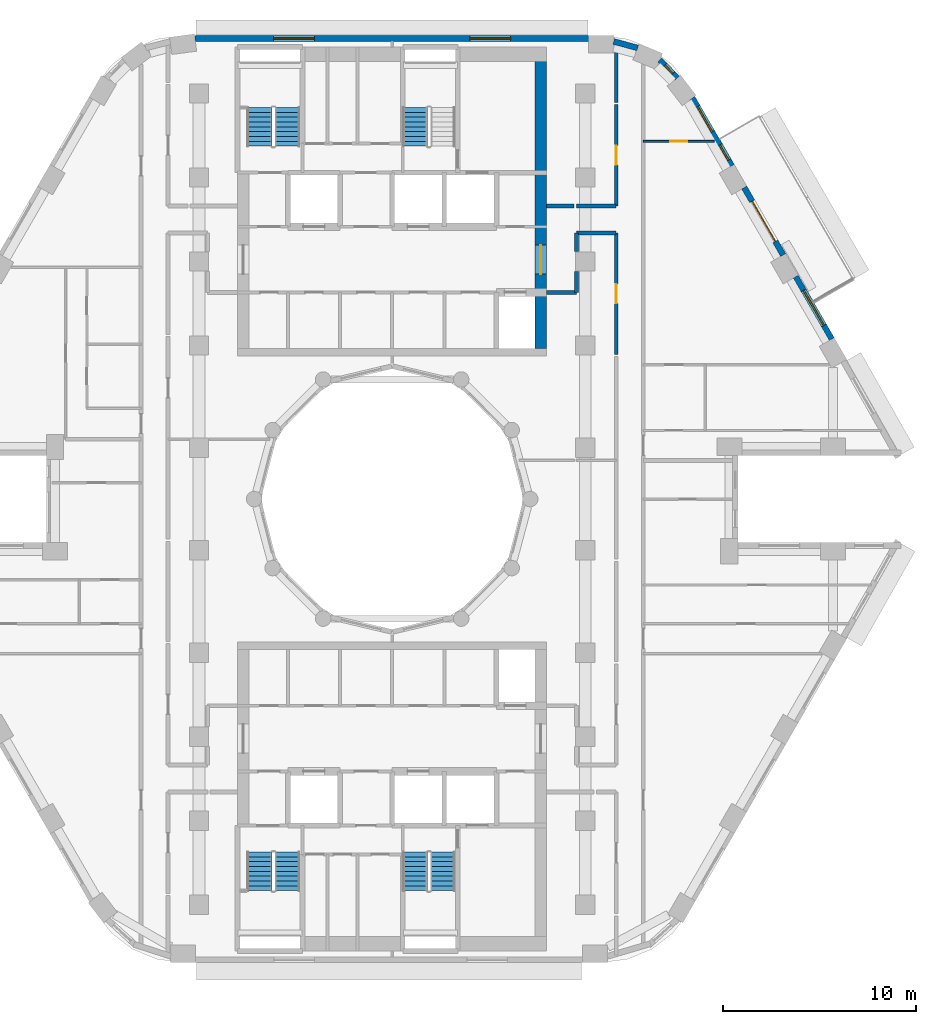
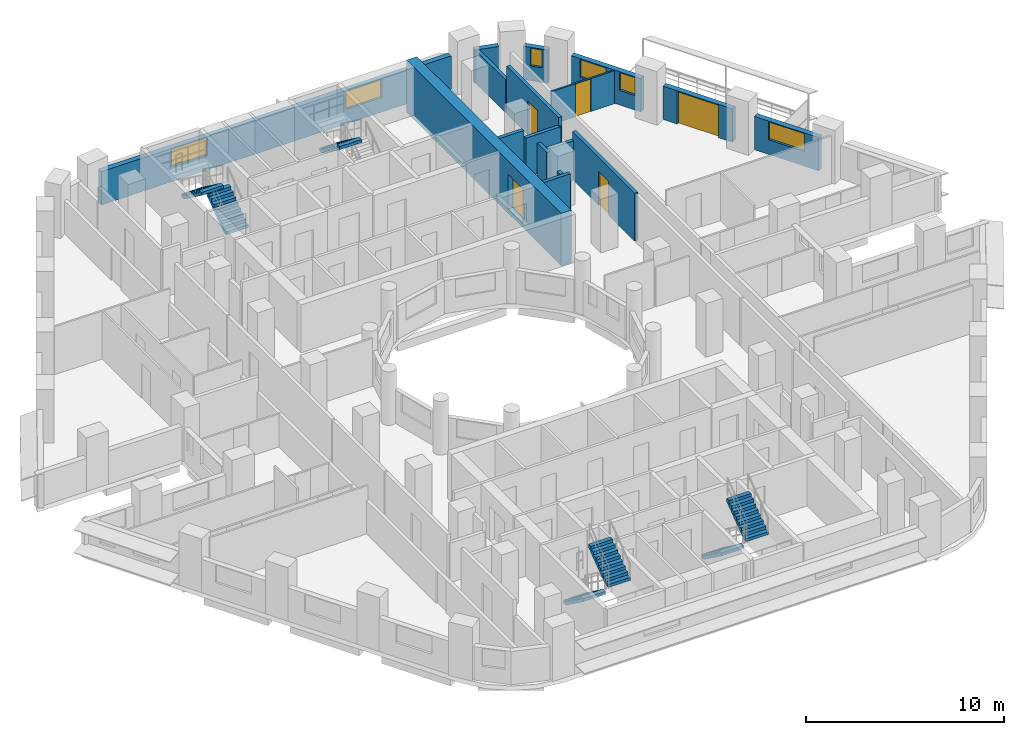
# One storey, part 9 of 14: 17 walls, 7 stair flights, 6 windows, 5 doors, 11 openings, 4 elements without a shape of their own.
"""IFC4 building model written with IfcOpenShell, lengths in metres."""

from ifc_helpers import new_model, si_unit, direction, frame, frame_2d, origin, place, context, subcontext, project, spatial, polyline, rectangle, outline, extrude, material, layer, layer_set, type_object, element, fill, aggregate, save


model = new_model("IFC4")

# Units and contexts
model_context = context("Model", 3, precision=1e-05, world=origin(), true_north=direction((0.0, 1.0)))
body_context = subcontext(model_context, "Body", "Model", "MODEL_VIEW")
ifc_project = project(units=[si_unit("LENGTHUNIT", "METRE"), si_unit("AREAUNIT", "SQUARE_METRE"), si_unit("VOLUMEUNIT", "CUBIC_METRE"), si_unit("PLANEANGLEUNIT", "RADIAN"), si_unit("MASSUNIT", "GRAM", prefix="KILO")], contexts=[model_context])

# Site, building, storey
site_placement = place(None, origin())
site = spatial("IfcSite", under=ifc_project, at=site_placement, CompositionType="ELEMENT")
building_placement = place(site_placement, origin())
building = spatial("IfcBuilding", under=site, at=building_placement, Name="Nakaniwa Court", CompositionType="ELEMENT")
storey_placement = place(building_placement, frame((0.0, 0.0, 166.800048828125)))
storey = spatial("IfcBuildingStorey", under=building, at=storey_placement, Name="L44", CompositionType="ELEMENT", Elevation=166.800048828125)

# Wall, opening, door
ifc_material_1 = material(Name="Acoustic double stud partition")
ifc_layer_1 = layer(ifc_material_1, 0.199951171875)
ifc_layer_set_1 = layer_set([ifc_layer_1], Name="Acoustic double stud partition")
wall_type_1 = type_object("IfcWallType", Name="Acoustic double stud partition 200", PredefinedType="PARTITIONING", material=ifc_layer_set_1)
wall_1_placement = place(storey_placement, frame((91.60009765625, 87.4873046875, 0.0), z_axis=(0.0, 0.0, 1.0), x_axis=(0.0, 1.0, 0.0)))
wall_1 = element("IfcWall", 1, at=wall_1_placement, inside=storey, type_object=wall_type_1, Name="Partition PW-078", PredefinedType="PARTITIONING", context=body_context, shape_type="SweptSolid", body=[
    extrude(rectangle(XDim=6.28759765625, YDim=0.199951171875, at=frame_2d((3.143798828125, 0.0))), origin(), (0.0, 0.0, 1.0), 2.949951171875),
])
opening_1_placement = place(wall_1_placement, frame((2.64501953125, 0.0, 0.0)))
opening_1 = element("IfcOpeningElement", 2, at=opening_1_placement, cuts=wall_1, Name="Opening D-02-06", PredefinedType="OPENING", context=body_context, shape_type="SweptSolid", body=[
    extrude(rectangle(XDim=1.0, YDim=2.10009765625, at=frame_2d((0.5, 1.050048828125))), frame((0.0, 0.10986328125, 0.0), z_axis=(0.0, -1.0, 0.0), x_axis=(1.0, 0.0, 0.0)), (0.0, 0.0, 1.0), 0.219970703125),
])
ifc_material_2 = material(Name="Solid core timber door set, black veneer", Category="wood")
door_type_1 = type_object("IfcDoorType", Name="Internal door 1000", OperationType="NOTDEFINED", PredefinedType="DOOR", material=ifc_material_2)
door_1_placement = place(opening_1_placement, origin())
door_1 = element("IfcDoor", 3, at=door_1_placement, inside=storey, type_object=door_type_1, Name="Door D-02-06 L44-054", OperationType="SINGLE_SWING_LEFT", OverallHeight=2.10009765625, OverallWidth=1.0, PredefinedType="DOOR", context=body_context, shape_type="SweptSolid", body=[
    extrude(rectangle(XDim=1.0, YDim=2.10009765625, at=frame_2d((0.5, 1.050048828125))), frame((0.0, 0.02490234375, 0.0), z_axis=(0.0, -1.0, 0.0), x_axis=(1.0, 0.0, 0.0)), (0.0, 0.0, 1.0), 0.050048828125),
])
fill(opening_1, door_1)

wall_2_placement = place(storey_placement, frame((91.60009765625, 95.175048828125, 0.0), z_axis=(0.0, 0.0, 1.0), x_axis=(0.0, 1.0, 0.0)))
wall_2 = element("IfcWall", 4, at=wall_2_placement, inside=storey, type_object=wall_type_1, Name="Partition PW-079", PredefinedType="PARTITIONING", context=body_context, shape_type="SweptSolid", body=[
    extrude(rectangle(XDim=5.247802734375, YDim=0.199951171875, at=frame_2d((2.6240234375, 0.0))), origin(), (0.0, 0.0, 1.0), 2.949951171875),
])
opening_2_placement = place(wall_2_placement, frame((2.123046875, 0.0, 0.0)))
opening_2 = element("IfcOpeningElement", 5, at=opening_2_placement, cuts=wall_2, Name="Opening D-02-07", PredefinedType="OPENING", context=body_context, shape_type="SweptSolid", body=[
    extrude(rectangle(XDim=1.0, YDim=2.10009765625, at=frame_2d((0.5, 1.050048828125))), frame((0.0, 0.10986328125, 0.0), z_axis=(0.0, -1.0, 0.0), x_axis=(1.0, 0.0, 0.0)), (0.0, 0.0, 1.0), 0.219970703125),
])
door_2_placement = place(opening_2_placement, origin())
door_2 = element("IfcDoor", 6, at=door_2_placement, inside=storey, type_object=door_type_1, Name="Door D-02-07 L44-055", OperationType="SINGLE_SWING_RIGHT", OverallHeight=2.10009765625, OverallWidth=1.0, PredefinedType="DOOR", context=body_context, shape_type="SweptSolid", body=[
    extrude(rectangle(XDim=1.0, YDim=2.10009765625, at=frame_2d((0.5, 1.050048828125))), frame((0.0, 0.02490234375, 0.0), z_axis=(0.0, -1.0, 0.0), x_axis=(1.0, 0.0, 0.0)), (0.0, 0.0, 1.0), 0.050048828125),
])
fill(opening_2, door_2)

# Walls
wall_3_placement = place(storey_placement, frame((91.60009765625, 100.537109375, 0.0), z_axis=(0.0, 0.0, 1.0), x_axis=(0.0, 1.0, 0.0)))
element("IfcWall", 7, at=wall_3_placement, inside=storey, type_object=wall_type_1, Name="Partition PW-080", PredefinedType="PARTITIONING", context=body_context, shape_type="SweptSolid", body=[
    extrude(rectangle(XDim=3.06201171875, YDim=0.199951171875, at=frame_2d((1.531005859375, 0.0))), origin(), (0.0, 0.0, 1.0), 2.030029296875),
])
wall_4_placement = place(storey_placement, frame((89.550048828125, 90.699951171875, 0.0), z_axis=(0.0, 0.0, 1.0), x_axis=(0.0, 1.0, 0.0)))
element("IfcWall", 8, at=wall_4_placement, inside=storey, type_object=wall_type_1, Name="Partition PW-090", PredefinedType="PARTITIONING", context=body_context, shape_type="SweptSolid", body=[
    extrude(rectangle(XDim=1.082763671875, YDim=0.199951171875, at=frame_2d((0.54150390625, 0.0))), origin(), (0.0, 0.0, 1.0), 2.429931640625),
])
wall_5_placement = place(storey_placement, frame((89.550048828125, 92.817138671875, 0.0), z_axis=(0.0, 0.0, 1.0), x_axis=(0.0, 1.0, 0.0)))
element("IfcWall", 9, at=wall_5_placement, inside=storey, type_object=wall_type_1, Name="Partition PW-091", PredefinedType="PARTITIONING", context=body_context, shape_type="SweptSolid", body=[
    extrude(rectangle(XDim=0.957763671875, YDim=0.199951171875, at=frame_2d((0.47900390625, 0.0))), origin(), (0.0, 0.0, 1.0), 2.949951171875),
])
wall_6_placement = place(storey_placement, frame((89.550048828125, 93.77490234375, 0.0), z_axis=(0.0, 0.0, 1.0), x_axis=(1.0, 0.0, 0.0)))
element("IfcWall", 10, at=wall_6_placement, inside=storey, type_object=wall_type_1, Name="Partition PW-095", PredefinedType="PARTITIONING", context=body_context, shape_type="SweptSolid", body=[
    extrude(rectangle(XDim=2.050048828125, YDim=0.199951171875, at=frame_2d((1.02490234375, 0.0))), origin(), (0.0, 0.0, 1.0), 2.429931640625),
])
wall_7_placement = place(storey_placement, frame((88.0, 90.699951171875, 0.0), z_axis=(0.0, 0.0, 1.0), x_axis=(1.0, 0.0, 0.0)))
element("IfcWall", 11, at=wall_7_placement, inside=storey, type_object=wall_type_1, Name="Partition PW-097", PredefinedType="PARTITIONING", context=body_context, shape_type="SweptSolid", body=[
    extrude(rectangle(XDim=1.550048828125, YDim=0.199951171875, at=frame_2d((0.77490234375, 0.0))), origin(), (0.0, 0.0, 1.0), 2.949951171875),
])
wall_8_placement = place(storey_placement, frame((88.0, 95.175048828125, 0.0), z_axis=(0.0, 0.0, 1.0), x_axis=(1.0, 0.0, 0.0)))
element("IfcWall", 12, at=wall_8_placement, inside=storey, type_object=wall_type_1, Name="Partition PW-100", PredefinedType="PARTITIONING", context=body_context, shape_type="SweptSolid", body=[
    extrude(rectangle(XDim=1.4228515625, YDim=0.199951171875, at=frame_2d((0.71142578125, 0.0))), origin(), (0.0, 0.0, 1.0), 2.949951171875),
])
wall_9_placement = place(storey_placement, frame((89.537109375, 95.175048828125, 0.0), z_axis=(0.0, 0.0, 1.0), x_axis=(1.0, 0.0, 0.0)))
element("IfcWall", 13, at=wall_9_placement, inside=storey, type_object=wall_type_1, Name="Partition PW-101", PredefinedType="PARTITIONING", context=body_context, shape_type="SweptSolid", body=[
    extrude(rectangle(XDim=2.06298828125, YDim=0.199951171875, at=frame_2d((1.031494140625, 0.0))), origin(), (0.0, 0.0, 1.0), 2.429931640625),
])

# Wall, opening, window
ifc_material_3 = material(Name="Charcoal ceramic cladding")
ifc_layer_2 = layer(ifc_material_3, 0.02, Name="Ceramic cladding")
ifc_material_4 = material(Name="Ventilated air cavity")
ifc_layer_3 = layer(ifc_material_4, 0.04, ventilated=True, Name="Ventilated cavity")
ifc_material_5 = material(Name="Mineral wool insulation")
ifc_layer_4 = layer(ifc_material_5, 0.1, Name="Insulation")
ifc_material_6 = material(Name="Cement bonded sheathing board")
ifc_layer_5 = layer(ifc_material_6, 0.012, Name="Sheathing")
ifc_material_7 = material(Name="Cold-formed galvanised stud frame with mineral wool infill")
ifc_layer_6 = layer(ifc_material_7, 0.1, Name="Stud frame")
ifc_material_8 = material(Name="Fire-rated gypsum plasterboard lining")
ifc_layer_7 = layer(ifc_material_8, 0.028, Name="Lining")
ifc_layer_set_2 = layer_set([ifc_layer_2, ifc_layer_3, ifc_layer_4, ifc_layer_5, ifc_layer_6, ifc_layer_7], Name="Charcoal ceramic faced external wall system")
wall_type_2 = type_object("IfcWallType", Name="Black ceramic faced external wall 300", PredefinedType="SOLIDWALL", material=ifc_layer_set_2)
wall_10_placement = place(storey_placement, frame((102.759521484375, 88.279052734375, 0.0), z_axis=(0.0, 0.0, 1.0), x_axis=(-0.499933594891, 0.866063739398, 0.0)))
wall_10 = element("IfcWall", 14, at=wall_10_placement, inside=storey, type_object=wall_type_2, Name="L44 external wall 03", PredefinedType="SOLIDWALL", context=body_context, shape_type="SweptSolid", body=[
    extrude(rectangle(XDim=3.73681640625, YDim=0.300048828125, at=frame_2d((1.868408203125, 0.0))), origin(), (0.0, 0.0, 1.0), 2.050048828125),
])
opening_3_placement = place(wall_10_placement, frame((0.818359375, 0.0, 0.89990234375)))
opening_3 = element("IfcOpeningElement", 15, at=opening_3_placement, cuts=wall_10, Name="Opening W7.02", PredefinedType="OPENING", context=body_context, shape_type="SweptSolid", body=[
    extrude(rectangle(XDim=2.10009765625, YDim=1.10009765625, at=frame_2d((1.050048828125, 0.550048828125))), frame((0.0, 0.159912109375, 0.0), z_axis=(0.0, -1.0, 0.0), x_axis=(1.0, 0.0, 0.0)), (0.0, 0.0, 1.0), 0.320068359375),
])
ifc_material_9 = material(Name="Black anodised aluminium frame with dark low-E laminated double glazing", Category="aluminium")
window_type_1 = type_object("IfcWindowType", Name="Dark glass window 2100x1100 sill 900", PartitioningType="SINGLE_PANEL", PredefinedType="WINDOW", material=ifc_material_9)
window_1_placement = place(opening_3_placement, origin())
window_1 = element("IfcWindow", 16, at=window_1_placement, inside=storey, type_object=window_type_1, Name="L44 living window 03-0", OverallHeight=1.10009765625, OverallWidth=2.10009765625, PartitioningType="SINGLE_PANEL", PredefinedType="WINDOW", context=body_context, shape_type="SweptSolid", body=[
    extrude(rectangle(XDim=2.10009765625, YDim=1.10009765625, at=frame_2d((1.050048828125, 0.550048828125))), frame((0.0, 0.030029296875, 0.0), z_axis=(0.0, -1.0, 0.0), x_axis=(1.0, 0.0, 0.0)), (0.0, 0.0, 1.0), 0.06005859375),
])
fill(opening_3, window_1)

# Wall, opening, door
wall_11_placement = place(storey_placement, frame((100.245361328125, 92.63427734375, 0.0), z_axis=(0.0, 0.0, 1.0), x_axis=(-0.500031546601, 0.86600718958, 0.0)))
wall_11 = element("IfcWall", 17, at=wall_11_placement, inside=storey, type_object=wall_type_2, Name="L44 external wall 04", PredefinedType="SOLIDWALL", context=body_context, shape_type="SweptSolid", body=[
    extrude(rectangle(XDim=4.033935546875, YDim=0.300048828125, at=frame_2d((2.01708984375, 0.0))), origin(), (0.0, 0.0, 1.0), 2.050048828125),
])
opening_4_placement = place(wall_11_placement, frame((0.81689453125, 0.0, 0.0)))
opening_4 = element("IfcOpeningElement", 18, at=opening_4_placement, cuts=wall_11, Name="Opening XD13.01", PredefinedType="OPENING", context=body_context, shape_type="SweptSolid", body=[
    extrude(rectangle(XDim=2.39990234375, YDim=2.0, at=frame_2d((1.199951171875, 1.0))), frame((0.0, 0.159912109375, 0.0), z_axis=(0.0, -1.0, 0.0), x_axis=(1.0, 0.0, 0.0)), (0.0, 0.0, 1.0), 0.320068359375),
])
ifc_material_10 = material(Name="Black powder-coated aluminium frame with dark laminated glass", Category="aluminium")
door_type_2 = type_object("IfcDoorType", Name="Balcony sliding door 2400x2000", OperationType="DOUBLE_DOOR_SLIDING", PredefinedType="DOOR", material=ifc_material_10)
door_3_placement = place(opening_4_placement, origin())
door_3 = element("IfcDoor", 19, at=door_3_placement, inside=storey, type_object=door_type_2, Name="L44 balcony sliding door 01", OperationType="DOUBLE_DOOR_SLIDING", OverallHeight=2.0, OverallWidth=2.39990234375, PredefinedType="DOOR", context=body_context, shape_type="SweptSolid", body=[
    extrude(rectangle(XDim=2.39990234375, YDim=2.0, at=frame_2d((1.199951171875, 1.0))), frame((0.0, 0.02490234375, 0.0), z_axis=(0.0, -1.0, 0.0), x_axis=(1.0, 0.0, 0.0)), (0.0, 0.0, 1.0), 0.050048828125),
])
fill(opening_4, door_3)

# Wall, openings, windows
wall_12_placement = place(storey_placement, frame((97.582275390625, 97.24658203125, 0.0), z_axis=(0.0, 0.0, 1.0), x_axis=(-0.500018589245, 0.866014671013, 0.0)))
wall_12 = element("IfcWall", 20, at=wall_12_placement, inside=storey, type_object=wall_type_2, Name="L44 external wall 05", PredefinedType="SOLIDWALL", context=body_context, shape_type="SweptSolid", body=[
    extrude(rectangle(XDim=4.067626953125, YDim=0.300048828125, at=frame_2d((2.03369140625, 0.0))), origin(), (0.0, 0.0, 1.0), 2.050048828125),
])
opening_5_placement = place(wall_12_placement, frame((0.346435546875, 0.0, 0.89990234375)))
opening_5 = element("IfcOpeningElement", 21, at=opening_5_placement, cuts=wall_12, Name="Opening W9.03", PredefinedType="OPENING", context=body_context, shape_type="SweptSolid", body=[
    extrude(rectangle(XDim=0.89990234375, YDim=1.10009765625, at=frame_2d((0.449951171875, 0.550048828125))), frame((0.0, 0.159912109375, 0.0), z_axis=(0.0, -1.0, 0.0), x_axis=(1.0, 0.0, 0.0)), (0.0, 0.0, 1.0), 0.320068359375),
])
opening_6_placement = place(wall_12_placement, frame((2.045166015625, 0.0, 0.89990234375)))
opening_6 = element("IfcOpeningElement", 22, at=opening_6_placement, cuts=wall_12, Name="Opening W5.04", PredefinedType="OPENING", context=body_context, shape_type="SweptSolid", body=[
    extrude(rectangle(XDim=1.5, YDim=1.10009765625, at=frame_2d((0.75, 0.550048828125))), frame((0.0, 0.159912109375, 0.0), z_axis=(0.0, -1.0, 0.0), x_axis=(1.0, 0.0, 0.0)), (0.0, 0.0, 1.0), 0.320068359375),
])
window_type_2 = type_object("IfcWindowType", Name="Dark glass window 1500x1100 sill 900", PartitioningType="SINGLE_PANEL", PredefinedType="WINDOW", material=ifc_material_9)
window_2_placement = place(opening_6_placement, origin())
window_2 = element("IfcWindow", 23, at=window_2_placement, inside=storey, type_object=window_type_2, Name="L44 habitable room window 05-1", OverallHeight=1.10009765625, OverallWidth=1.5, PartitioningType="SINGLE_PANEL", PredefinedType="WINDOW", context=body_context, shape_type="SweptSolid", body=[
    extrude(rectangle(XDim=1.5, YDim=1.10009765625, at=frame_2d((0.75, 0.550048828125))), frame((0.0, 0.030029296875, 0.0), z_axis=(0.0, -1.0, 0.0), x_axis=(1.0, 0.0, 0.0)), (0.0, 0.0, 1.0), 0.06005859375),
])
fill(opening_6, window_2)
window_type_3 = type_object("IfcWindowType", Name="Dark glass window 900x1100 sill 900", PartitioningType="SINGLE_PANEL", PredefinedType="WINDOW", material=ifc_material_9)
window_3_placement = place(opening_5_placement, origin())
window_3 = element("IfcWindow", 24, at=window_3_placement, inside=storey, type_object=window_type_3, Name="L44 living window 05-0", OverallHeight=1.10009765625, OverallWidth=0.89990234375, PartitioningType="SINGLE_PANEL", PredefinedType="WINDOW", context=body_context, shape_type="SweptSolid", body=[
    extrude(rectangle(XDim=0.89990234375, YDim=1.10009765625, at=frame_2d((0.449951171875, 0.550048828125))), frame((0.0, 0.030029296875, 0.0), z_axis=(0.0, -1.0, 0.0), x_axis=(1.0, 0.0, 0.0)), (0.0, 0.0, 1.0), 0.06005859375),
])
fill(opening_5, window_3)

# Wall, opening, window
wall_13_placement = place(storey_placement, frame((94.76318359375, 101.79541015625, 0.0), z_axis=(0.0, 0.0, 1.0), x_axis=(-0.697598997785, 0.716488407645, 0.0)))
wall_13 = element("IfcWall", 25, at=wall_13_placement, inside=storey, type_object=wall_type_2, Name="L44 external wall 06", PredefinedType="SOLIDWALL", context=body_context, shape_type="SweptSolid", body=[
    extrude(rectangle(XDim=1.305419921875, YDim=0.300048828125, at=frame_2d((0.65283203125, 0.0))), origin(), (0.0, 0.0, 1.0), 2.050048828125),
])
opening_7_placement = place(wall_13_placement, frame((0.328369140625, 0.0, 0.89990234375)))
opening_7 = element("IfcOpeningElement", 26, at=opening_7_placement, cuts=wall_13, Name="Opening W8.05", PredefinedType="OPENING", context=body_context, shape_type="SweptSolid", body=[
    extrude(rectangle(XDim=0.60009765625, YDim=1.10009765625, at=frame_2d((0.300048828125, 0.550048828125))), frame((0.0, 0.159912109375, 0.0), z_axis=(0.0, -1.0, 0.0), x_axis=(1.0, 0.0, 0.0)), (0.0, 0.0, 1.0), 0.320068359375),
])
window_type_4 = type_object("IfcWindowType", Name="Dark glass window 600x1100 sill 900", PartitioningType="SINGLE_PANEL", PredefinedType="WINDOW", material=ifc_material_9)
window_4_placement = place(opening_7_placement, origin())
window_4 = element("IfcWindow", 27, at=window_4_placement, inside=storey, type_object=window_type_4, Name="L44 habitable room window 06-0", OverallHeight=1.10009765625, OverallWidth=0.60009765625, PartitioningType="SINGLE_PANEL", PredefinedType="WINDOW", context=body_context, shape_type="SweptSolid", body=[
    extrude(rectangle(XDim=0.60009765625, YDim=1.10009765625, at=frame_2d((0.300048828125, 0.550048828125))), frame((0.0, 0.030029296875, 0.0), z_axis=(0.0, -1.0, 0.0), x_axis=(1.0, 0.0, 0.0)), (0.0, 0.0, 1.0), 0.06005859375),
])
fill(opening_7, window_4)

# Wall
wall_14_placement = place(storey_placement, frame((92.712890625, 103.3564453125, 0.0), z_axis=(0.0, 0.0, 1.0), x_axis=(-0.965274225809, 0.26123872031, 0.0)))
element("IfcWall", 28, at=wall_14_placement, inside=storey, type_object=wall_type_2, Name="L44 external wall 07", PredefinedType="SOLIDWALL", context=body_context, shape_type="SweptSolid", body=[
    extrude(rectangle(XDim=1.286865234375, YDim=0.300048828125, at=frame_2d((0.6435546875, 0.0))), origin(), (0.0, 0.0, 1.0), 2.050048828125),
])

# Wall, openings, windows
wall_15_placement = place(storey_placement, frame((90.1787109375, 103.85009765625, 0.0), z_axis=(0.0, 0.0, 1.0), x_axis=(-1.0, 0.0, 0.0)))
wall_15 = element("IfcWall", 29, at=wall_15_placement, inside=storey, type_object=wall_type_2, Name="L44 external wall 08", PredefinedType="SOLIDWALL", context=body_context, shape_type="SweptSolid", body=[
    extrude(rectangle(XDim=20.391357421875, YDim=0.300048828125, at=frame_2d((10.19580078125, 0.0))), origin(), (0.0, 0.0, 1.0), 2.050048828125),
])
opening_8_placement = place(wall_15_placement, frame((4.05126953125, 0.0, 0.89990234375)))
opening_8 = element("IfcOpeningElement", 30, at=opening_8_placement, cuts=wall_15, Name="Opening W7.06", PredefinedType="OPENING", context=body_context, shape_type="SweptSolid", body=[
    extrude(rectangle(XDim=2.10009765625, YDim=1.10009765625, at=frame_2d((1.050048828125, 0.550048828125))), frame((0.0, 0.159912109375, 0.0), z_axis=(0.0, -1.0, 0.0), x_axis=(1.0, 0.0, 0.0)), (0.0, 0.0, 1.0), 0.320068359375),
])
opening_9_placement = place(wall_15_placement, frame((14.211669921875, 0.0, 0.89990234375)))
opening_9 = element("IfcOpeningElement", 31, at=opening_9_placement, cuts=wall_15, Name="Opening W7.07", PredefinedType="OPENING", context=body_context, shape_type="SweptSolid", body=[
    extrude(rectangle(XDim=2.10009765625, YDim=1.10009765625, at=frame_2d((1.050048828125, 0.550048828125))), frame((0.0, 0.159912109375, 0.0), z_axis=(0.0, -1.0, 0.0), x_axis=(1.0, 0.0, 0.0)), (0.0, 0.0, 1.0), 0.320068359375),
])
window_5_placement = place(opening_8_placement, origin())
window_5 = element("IfcWindow", 32, at=window_5_placement, inside=storey, type_object=window_type_1, Name="L44 habitable room window 08-0", OverallHeight=1.10009765625, OverallWidth=2.10009765625, PartitioningType="SINGLE_PANEL", PredefinedType="WINDOW", context=body_context, shape_type="SweptSolid", body=[
    extrude(rectangle(XDim=2.10009765625, YDim=1.10009765625, at=frame_2d((1.050048828125, 0.550048828125))), frame((0.0, 0.030029296875, 0.0), z_axis=(0.0, -1.0, 0.0), x_axis=(1.0, 0.0, 0.0)), (0.0, 0.0, 1.0), 0.06005859375),
])
fill(opening_8, window_5)
window_6_placement = place(opening_9_placement, origin())
window_6 = element("IfcWindow", 33, at=window_6_placement, inside=storey, type_object=window_type_1, Name="L44 habitable room window 08-1", OverallHeight=1.10009765625, OverallWidth=2.10009765625, PartitioningType="SINGLE_PANEL", PredefinedType="WINDOW", context=body_context, shape_type="SweptSolid", body=[
    extrude(rectangle(XDim=2.10009765625, YDim=1.10009765625, at=frame_2d((1.050048828125, 0.550048828125))), frame((0.0, 0.030029296875, 0.0), z_axis=(0.0, -1.0, 0.0), x_axis=(1.0, 0.0, 0.0)), (0.0, 0.0, 1.0), 0.06005859375),
])
fill(opening_9, window_6)

# Wall, opening, door
ifc_material_11 = material(Name="Concrete C80/100", Category="concrete")
ifc_layer_8 = layer(ifc_material_11, 0.60009765625)
ifc_layer_set_3 = layer_set([ifc_layer_8], Name="Concrete C80/100")
wall_type_3 = type_object("IfcWallType", Name="Concrete core side wall 600 C80", PredefinedType="SHEAR", material=ifc_layer_set_3)
wall_16_placement = place(storey_placement, frame((87.699951171875, 103.39990234375, -0.275146484375), z_axis=(0.0, 0.0, 1.0), x_axis=(0.0, -1.0, 0.0)))
wall_16 = element("IfcWall", 34, at=wall_16_placement, inside=storey, type_object=wall_type_3, Name="Core wall SW-07", PredefinedType="SHEAR", context=body_context, shape_type="SweptSolid", body=[
    extrude(rectangle(XDim=15.599853515625, YDim=0.60009765625, at=frame_2d((7.7998046875, 0.0))), origin(), (0.0, 0.0, 1.0), 3.22509765625),
])
opening_10_placement = place(wall_16_placement, frame((10.248046875, 0.0, 0.27490234375)))
opening_10 = element("IfcOpeningElement", 35, at=opening_10_placement, cuts=wall_16, Name="Opening D-07-01", PredefinedType="OPENING", context=body_context, shape_type="SweptSolid", body=[
    extrude(rectangle(XDim=1.5, YDim=2.10009765625, at=frame_2d((0.75, 1.050048828125))), frame((0.0, 0.31005859375, 0.0), z_axis=(0.0, -1.0, 0.0), x_axis=(1.0, 0.0, 0.0)), (0.0, 0.0, 1.0), 0.6201171875),
])
ifc_material_12 = material(Name="Glazed fire rated steel double door set", Category="steel")
door_type_3 = type_object("IfcDoorType", Name="Lobby double door 1500", OperationType="NOTDEFINED", PredefinedType="DOOR", material=ifc_material_12)
door_4_placement = place(opening_10_placement, origin())
door_4 = element("IfcDoor", 36, at=door_4_placement, inside=storey, type_object=door_type_3, Name="Door D-07-01 L44-058", OperationType="DOUBLE_DOOR_SINGLE_SWING", OverallHeight=2.10009765625, OverallWidth=1.5, PredefinedType="DOOR", context=body_context, shape_type="SweptSolid", body=[
    extrude(rectangle(XDim=1.5, YDim=2.10009765625, at=frame_2d((0.75, 1.050048828125))), frame((0.0, 0.02490234375, 0.0), z_axis=(0.0, -1.0, 0.0), x_axis=(1.0, 0.0, 0.0)), (0.0, 0.0, 1.0), 0.050048828125),
])
fill(opening_10, door_4)

ifc_material_13 = material(Name="Single stud plasterboard partition")
ifc_layer_9 = layer(ifc_material_13, 0.10009765625)
ifc_layer_set_4 = layer_set([ifc_layer_9], Name="Single stud plasterboard partition")
wall_type_4 = type_object("IfcWallType", Name="Single stud plasterboard partition 100", PredefinedType="PARTITIONING", material=ifc_layer_set_4)
wall_17_placement = place(storey_placement, frame((93.0009765625, 98.52001953125, 0.0), z_axis=(0.0, 0.0, 1.0), x_axis=(1.0, 0.0, 0.0)))
wall_17 = element("IfcWall", 37, at=wall_17_placement, inside=storey, type_object=wall_type_4, Name="Partition PW-131", PredefinedType="PARTITIONING", context=body_context, shape_type="SweptSolid", body=[
    extrude(rectangle(XDim=3.672607421875, YDim=0.10009765625, at=frame_2d((1.83642578125, 0.0))), origin(), (0.0, 0.0, 1.0), 2.030029296875),
])
opening_11_placement = place(wall_17_placement, frame((1.385986328125, 0.0, 0.0)))
opening_11 = element("IfcOpeningElement", 38, at=opening_11_placement, cuts=wall_17, Name="Opening D-37-04", PredefinedType="OPENING", context=body_context, shape_type="SweptSolid", body=[
    extrude(rectangle(XDim=0.89990234375, YDim=2.010009765625, at=frame_2d((0.449951171875, 1.0048828125))), frame((0.0, 0.06005859375, 0.0), z_axis=(0.0, -1.0, 0.0), x_axis=(1.0, 0.0, 0.0)), (0.0, 0.0, 1.0), 0.1201171875),
])
door_type_4 = type_object("IfcDoorType", Name="Internal door 900 x 2010", OperationType="NOTDEFINED", PredefinedType="DOOR", material=ifc_material_2)
door_5_placement = place(opening_11_placement, origin())
door_5 = element("IfcDoor", 39, at=door_5_placement, inside=storey, type_object=door_type_4, Name="Door D-37-04 L44-040", OperationType="SINGLE_SWING_LEFT", OverallHeight=2.010009765625, OverallWidth=0.89990234375, PredefinedType="DOOR", context=body_context, shape_type="SweptSolid", body=[
    extrude(rectangle(XDim=0.89990234375, YDim=2.010009765625, at=frame_2d((0.449951171875, 1.0048828125))), frame((0.0, 0.02490234375, 0.0), z_axis=(0.0, -1.0, 0.0), x_axis=(1.0, 0.0, 0.0)), (0.0, 0.0, 1.0), 0.050048828125),
])
fill(opening_11, door_5)

# Stair, stair flights
stair_type = type_object("IfcStairType", Name="Dog leg stair 1300 wide 18 risers", PredefinedType="HALF_TURN_STAIR", material=ifc_material_11)
stair_1_placement = place(storey_placement, origin())
stair_1 = element("IfcStair", 40, at=stair_1_placement, inside=storey, type_object=stair_type, Name="L44 Stair ST1", PredefinedType="HALF_TURN_STAIR")
stair_flight_type = type_object("IfcStairFlightType", Name="Stair flight 1300 wide 9 risers", PredefinedType="STRAIGHT", material=ifc_material_11)
stair_flight_1_placement = place(storey_placement, frame((74.574951171875, 98.27490234375, 0.0), z_axis=(0.0, 0.0, 1.0), x_axis=(0.0, 1.0, 0.0)))
stair_flight_1 = element("IfcStairFlight", 41, at=stair_flight_1_placement, type_object=stair_flight_type, Name="ST1 flight 1", NumberOfRisers=9, NumberOfTreads=8, PredefinedType="STRAIGHT", RiserHeight=0.183333333, TreadLength=0.25, context=body_context, shape_type="SweptSolid", body=[
    extrude(outline(polyline([(0.0, 0.0), (0.0, 0.026123046875), (0.0, 0.052490234375), (0.0, 0.07861328125), (0.0, 0.104736328125), (0.0, 0.130859375), (0.0, 0.1572265625), (0.0, 0.183349609375), (0.25, 0.183349609375), (0.25, 0.36669921875), (0.5, 0.36669921875), (0.5, 0.550048828125), (0.75, 0.550048828125), (0.75, 0.7333984375), (1.0, 0.7333984375), (1.0, 0.916748046875), (1.25, 0.916748046875), (1.25, 1.10009765625), (1.5, 1.10009765625), (1.5, 1.283447265625), (1.75, 1.283447265625), (1.75, 1.466552734375), (2.0, 1.466552734375), (2.0, 1.64990234375), (2.0, 1.59716796875), (2.0, 1.54443359375), (2.0, 1.49169921875), (2.0, 1.43896484375), (2.0, 1.38623046875), (2.0, 1.33349609375), (2.0, 1.28076171875), (0.25341796875, 0.0), (0.0, 0.0)])), frame((0.0, 0.64990234375, 0.0), z_axis=(0.0, -1.0, 0.0), x_axis=(1.0, 0.0, 0.0)), (0.0, 0.0, 1.0), 1.300048828125),
])
stair_flight_2_placement = place(storey_placement, frame((73.125, 100.27490234375, 1.64990234375), z_axis=(0.0, 0.0, 1.0), x_axis=(0.0, -1.0, 0.0)))
stair_flight_2 = element("IfcStairFlight", 42, at=stair_flight_2_placement, type_object=stair_flight_type, Name="ST1 flight 2", NumberOfRisers=9, NumberOfTreads=8, PredefinedType="STRAIGHT", RiserHeight=0.183333333, TreadLength=0.25, context=body_context, shape_type="SweptSolid", body=[
    extrude(outline(polyline([(0.0, 0.0), (0.0, 0.026123046875), (0.0, 0.052490234375), (0.0, 0.07861328125), (0.0, 0.104736328125), (0.0, 0.130859375), (0.0, 0.1572265625), (0.0, 0.183349609375), (0.25, 0.183349609375), (0.25, 0.36669921875), (0.5, 0.36669921875), (0.5, 0.550048828125), (0.75, 0.550048828125), (0.75, 0.7333984375), (1.0, 0.7333984375), (1.0, 0.916748046875), (1.25, 0.916748046875), (1.25, 1.10009765625), (1.5, 1.10009765625), (1.5, 1.283447265625), (1.75, 1.283447265625), (1.75, 1.466552734375), (2.0, 1.466552734375), (2.0, 1.64990234375), (2.0, 1.59716796875), (2.0, 1.54443359375), (2.0, 1.49169921875), (2.0, 1.43896484375), (2.0, 1.38623046875), (2.0, 1.33349609375), (2.0, 1.28076171875), (0.25341796875, 0.0), (0.0, 0.0)])), frame((0.0, 0.64990234375, 0.0), z_axis=(0.0, -1.0, 0.0), x_axis=(1.0, 0.0, 0.0)), (0.0, 0.0, 1.0), 1.300048828125),
])
aggregate(stair_1, [stair_flight_1, stair_flight_2])

# Stair, stair flight
stair_2_placement = place(storey_placement, origin())
stair_2 = element("IfcStair", 43, at=stair_2_placement, inside=storey, type_object=stair_type, Name="L44 Stair ST2", PredefinedType="HALF_TURN_STAIR")
stair_flight_3_placement = place(storey_placement, frame((81.175048828125, 100.27490234375, 1.64990234375), z_axis=(0.0, 0.0, 1.0), x_axis=(0.0, -1.0, 0.0)))
stair_flight_3 = element("IfcStairFlight", 44, at=stair_flight_3_placement, type_object=stair_flight_type, Name="ST2 flight 2", NumberOfRisers=9, NumberOfTreads=8, PredefinedType="STRAIGHT", RiserHeight=0.183333333, TreadLength=0.25, context=body_context, shape_type="SweptSolid", body=[
    extrude(outline(polyline([(0.0, 0.0), (0.0, 0.026123046875), (0.0, 0.052490234375), (0.0, 0.07861328125), (0.0, 0.104736328125), (0.0, 0.130859375), (0.0, 0.1572265625), (0.0, 0.183349609375), (0.25, 0.183349609375), (0.25, 0.36669921875), (0.5, 0.36669921875), (0.5, 0.550048828125), (0.75, 0.550048828125), (0.75, 0.7333984375), (1.0, 0.7333984375), (1.0, 0.916748046875), (1.25, 0.916748046875), (1.25, 1.10009765625), (1.5, 1.10009765625), (1.5, 1.283447265625), (1.75, 1.283447265625), (1.75, 1.466552734375), (2.0, 1.466552734375), (2.0, 1.64990234375), (2.0, 1.59716796875), (2.0, 1.54443359375), (2.0, 1.49169921875), (2.0, 1.43896484375), (2.0, 1.38623046875), (2.0, 1.33349609375), (2.0, 1.28076171875), (0.25341796875, 0.0), (0.0, 0.0)])), frame((0.0, 0.64990234375, 0.0), z_axis=(0.0, -1.0, 0.0), x_axis=(1.0, 0.0, 0.0)), (0.0, 0.0, 1.0), 1.300048828125),
])
aggregate(stair_2, [stair_flight_3])

# Stair, stair flights
stair_3_placement = place(storey_placement, origin())
stair_3 = element("IfcStair", 45, at=stair_3_placement, inside=storey, type_object=stair_type, Name="L44 Stair ST3", PredefinedType="HALF_TURN_STAIR")
stair_flight_4_placement = place(storey_placement, frame((73.125, 61.72509765625, 0.0), z_axis=(0.0, 0.0, 1.0), x_axis=(0.0, -1.0, 0.0)))
stair_flight_4 = element("IfcStairFlight", 46, at=stair_flight_4_placement, type_object=stair_flight_type, Name="ST3 flight 1", NumberOfRisers=9, NumberOfTreads=8, PredefinedType="STRAIGHT", RiserHeight=0.183333333, TreadLength=0.25, context=body_context, shape_type="SweptSolid", body=[
    extrude(outline(polyline([(0.0, 0.0), (0.0, 0.026123046875), (0.0, 0.052490234375), (0.0, 0.07861328125), (0.0, 0.104736328125), (0.0, 0.130859375), (0.0, 0.1572265625), (0.0, 0.183349609375), (0.25, 0.183349609375), (0.25, 0.36669921875), (0.5, 0.36669921875), (0.5, 0.550048828125), (0.75, 0.550048828125), (0.75, 0.7333984375), (1.0, 0.7333984375), (1.0, 0.916748046875), (1.25, 0.916748046875), (1.25, 1.10009765625), (1.5, 1.10009765625), (1.5, 1.283447265625), (1.75, 1.283447265625), (1.75, 1.466552734375), (2.0, 1.466552734375), (2.0, 1.64990234375), (2.0, 1.59716796875), (2.0, 1.54443359375), (2.0, 1.49169921875), (2.0, 1.43896484375), (2.0, 1.38623046875), (2.0, 1.33349609375), (2.0, 1.28076171875), (0.25341796875, 0.0), (0.0, 0.0)])), frame((0.0, 0.64990234375, 0.0), z_axis=(0.0, -1.0, 0.0), x_axis=(1.0, 0.0, 0.0)), (0.0, 0.0, 1.0), 1.300048828125),
])
stair_flight_5_placement = place(storey_placement, frame((74.574951171875, 59.72509765625, 1.64990234375), z_axis=(0.0, 0.0, 1.0), x_axis=(0.0, 1.0, 0.0)))
stair_flight_5 = element("IfcStairFlight", 47, at=stair_flight_5_placement, type_object=stair_flight_type, Name="ST3 flight 2", NumberOfRisers=9, NumberOfTreads=8, PredefinedType="STRAIGHT", RiserHeight=0.183333333, TreadLength=0.25, context=body_context, shape_type="SweptSolid", body=[
    extrude(outline(polyline([(0.0, 0.0), (0.0, 0.026123046875), (0.0, 0.052490234375), (0.0, 0.07861328125), (0.0, 0.104736328125), (0.0, 0.130859375), (0.0, 0.1572265625), (0.0, 0.183349609375), (0.25, 0.183349609375), (0.25, 0.36669921875), (0.5, 0.36669921875), (0.5, 0.550048828125), (0.75, 0.550048828125), (0.75, 0.7333984375), (1.0, 0.7333984375), (1.0, 0.916748046875), (1.25, 0.916748046875), (1.25, 1.10009765625), (1.5, 1.10009765625), (1.5, 1.283447265625), (1.75, 1.283447265625), (1.75, 1.466552734375), (2.0, 1.466552734375), (2.0, 1.64990234375), (2.0, 1.59716796875), (2.0, 1.54443359375), (2.0, 1.49169921875), (2.0, 1.43896484375), (2.0, 1.38623046875), (2.0, 1.33349609375), (2.0, 1.28076171875), (0.25341796875, 0.0), (0.0, 0.0)])), frame((0.0, 0.64990234375, 0.0), z_axis=(0.0, -1.0, 0.0), x_axis=(1.0, 0.0, 0.0)), (0.0, 0.0, 1.0), 1.300048828125),
])
aggregate(stair_3, [stair_flight_4, stair_flight_5])

stair_4_placement = place(storey_placement, origin())
stair_4 = element("IfcStair", 48, at=stair_4_placement, inside=storey, type_object=stair_type, Name="L44 Stair ST4", PredefinedType="HALF_TURN_STAIR")
stair_flight_6_placement = place(storey_placement, frame((81.175048828125, 61.72509765625, 0.0), z_axis=(0.0, 0.0, 1.0), x_axis=(0.0, -1.0, 0.0)))
stair_flight_6 = element("IfcStairFlight", 49, at=stair_flight_6_placement, type_object=stair_flight_type, Name="ST4 flight 1", NumberOfRisers=9, NumberOfTreads=8, PredefinedType="STRAIGHT", RiserHeight=0.183333333, TreadLength=0.25, context=body_context, shape_type="SweptSolid", body=[
    extrude(outline(polyline([(0.0, 0.0), (0.0, 0.026123046875), (0.0, 0.052490234375), (0.0, 0.07861328125), (0.0, 0.104736328125), (0.0, 0.130859375), (0.0, 0.1572265625), (0.0, 0.183349609375), (0.25, 0.183349609375), (0.25, 0.36669921875), (0.5, 0.36669921875), (0.5, 0.550048828125), (0.75, 0.550048828125), (0.75, 0.7333984375), (1.0, 0.7333984375), (1.0, 0.916748046875), (1.25, 0.916748046875), (1.25, 1.10009765625), (1.5, 1.10009765625), (1.5, 1.283447265625), (1.75, 1.283447265625), (1.75, 1.466552734375), (2.0, 1.466552734375), (2.0, 1.64990234375), (2.0, 1.59716796875), (2.0, 1.54443359375), (2.0, 1.49169921875), (2.0, 1.43896484375), (2.0, 1.38623046875), (2.0, 1.33349609375), (2.0, 1.28076171875), (0.25341796875, 0.0), (0.0, 0.0)])), frame((0.0, 0.64990234375, 0.0), z_axis=(0.0, -1.0, 0.0), x_axis=(1.0, 0.0, 0.0)), (0.0, 0.0, 1.0), 1.300048828125),
])
stair_flight_7_placement = place(storey_placement, frame((82.625, 59.72509765625, 1.64990234375), z_axis=(0.0, 0.0, 1.0), x_axis=(0.0, 1.0, 0.0)))
stair_flight_7 = element("IfcStairFlight", 50, at=stair_flight_7_placement, type_object=stair_flight_type, Name="ST4 flight 2", NumberOfRisers=9, NumberOfTreads=8, PredefinedType="STRAIGHT", RiserHeight=0.183333333, TreadLength=0.25, context=body_context, shape_type="SweptSolid", body=[
    extrude(outline(polyline([(0.0, 0.0), (0.0, 0.026123046875), (0.0, 0.052490234375), (0.0, 0.07861328125), (0.0, 0.104736328125), (0.0, 0.130859375), (0.0, 0.1572265625), (0.0, 0.183349609375), (0.25, 0.183349609375), (0.25, 0.36669921875), (0.5, 0.36669921875), (0.5, 0.550048828125), (0.75, 0.550048828125), (0.75, 0.7333984375), (1.0, 0.7333984375), (1.0, 0.916748046875), (1.25, 0.916748046875), (1.25, 1.10009765625), (1.5, 1.10009765625), (1.5, 1.283447265625), (1.75, 1.283447265625), (1.75, 1.466552734375), (2.0, 1.466552734375), (2.0, 1.64990234375), (2.0, 1.59716796875), (2.0, 1.54443359375), (2.0, 1.49169921875), (2.0, 1.43896484375), (2.0, 1.38623046875), (2.0, 1.33349609375), (2.0, 1.28076171875), (0.25341796875, 0.0), (0.0, 0.0)])), frame((0.0, 0.64990234375, 0.0), z_axis=(0.0, -1.0, 0.0), x_axis=(1.0, 0.0, 0.0)), (0.0, 0.0, 1.0), 1.300048828125),
])
aggregate(stair_4, [stair_flight_6, stair_flight_7])

save(model, "model.ifc")
